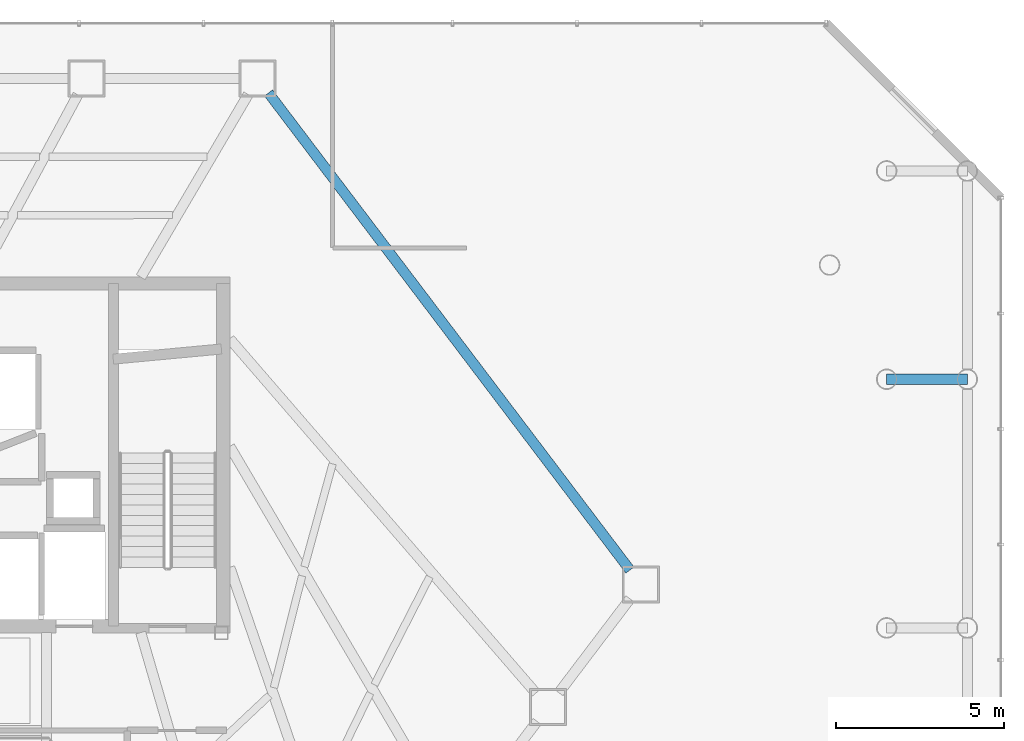
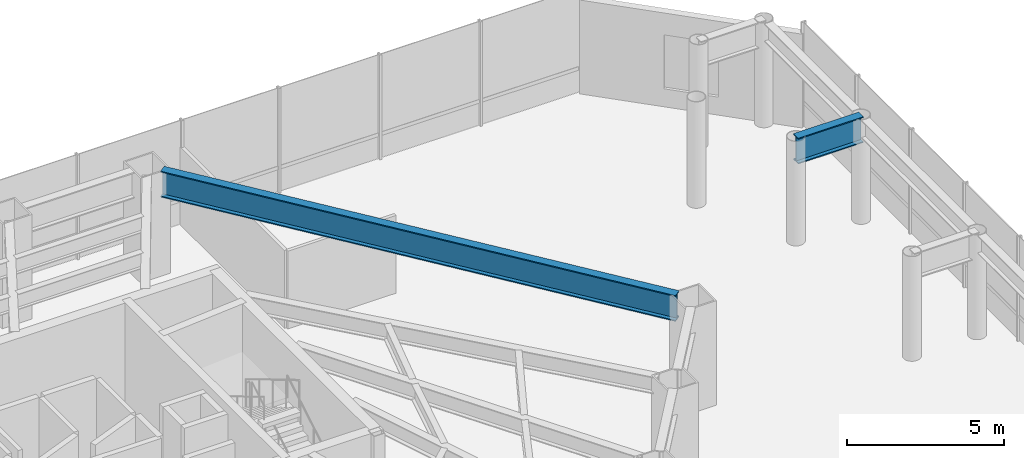
# One storey, part 21 of 33: 2 beams.
"""IFC4 building model written with IfcOpenShell, lengths in metres."""

from ifc_helpers import new_model, si_unit, direction, frame, origin, origin_2d, place, context, subcontext, project, spatial, i_section, extrude, material, material_profile, profile_set, type_object, element, save


model = new_model("IFC4")

# Units and contexts
model_context = context("Model", 3, precision=1e-05, world=origin(), true_north=direction((0.0, 1.0)))
body_context = subcontext(model_context, "Body", "Model", "MODEL_VIEW")
ifc_project = project(units=[si_unit("LENGTHUNIT", "METRE"), si_unit("AREAUNIT", "SQUARE_METRE"), si_unit("VOLUMEUNIT", "CUBIC_METRE"), si_unit("PLANEANGLEUNIT", "RADIAN"), si_unit("MASSUNIT", "GRAM", prefix="KILO")], contexts=[model_context])

# Site, building, storey
site_placement = place(None, origin())
site = spatial("IfcSite", under=ifc_project, at=site_placement, CompositionType="ELEMENT")
building_placement = place(site_placement, origin())
building = spatial("IfcBuilding", under=site, at=building_placement, Name="Zarrinselat Tower", CompositionType="ELEMENT")
storey_placement = place(building_placement, frame((0.0, 0.0, 18.360107421875)))
storey = spatial("IfcBuildingStorey", under=building, at=storey_placement, Name="L04", CompositionType="ELEMENT", Elevation=18.360107421875)

# Beams
ifc_material_1 = material(Name="Steel S460M", Category="steel")
ifc_material_profile_1 = material_profile(ifc_material_1, i_section(OverallWidth=0.302001953125, OverallDepth=1.008056640625, WebThickness=0.02099609375, FlangeThickness=0.0400390625, at=origin_2d()), Name="HEM 1000")
ifc_profile_set_1 = profile_set([ifc_material_profile_1], Name="Steel S460M")
beam_type_1 = type_object("IfcBeamType", Name="BM-HEM1000", PredefinedType="BEAM", material=ifc_profile_set_1)
beam_1_placement = place(storey_placement, frame((49.601806640625, 49.12109375, 3.56591796875), z_axis=(0.603860854183, -0.797089749517, 0.0), x_axis=(0.797089749517, 0.603860854183, 0.0)))
element("IfcBeam", 1, at=beam_1_placement, inside=storey, type_object=beam_type_1, Name="L04 Perimeter Spandrel Girder SP15", PredefinedType="BEAM", context=body_context, shape_type="SweptSolid", body=[
    extrude(i_section(OverallWidth=0.302001953125, OverallDepth=1.008056640625, WebThickness=0.02099609375, FlangeThickness=0.0400390625, at=origin_2d()), origin(), (0.0, 0.0, 1.0), 17.81494140625),
])
ifc_material_2 = material(Name="Steel S460M", Category="steel")
ifc_material_profile_2 = material_profile(ifc_material_2, i_section(OverallWidth=0.302001953125, OverallDepth=1.008056640625, WebThickness=0.02099609375, FlangeThickness=0.0400390625, at=origin_2d()), Name="HEM 1000")
ifc_profile_set_2 = profile_set([ifc_material_profile_2], Name="Steel S460M")
beam_type_2 = type_object("IfcBeamType", Name="BM-PDTR-HEM1000", PredefinedType="BEAM", material=ifc_profile_set_2)
beam_2_placement = place(storey_placement, frame((68.0, 40.60009765625, 3.56591796875), z_axis=(1.0, 0.0, 0.0), x_axis=(0.0, 1.0, 0.0)))
element("IfcBeam", 2, at=beam_2_placement, inside=storey, type_object=beam_type_2, Name="L04 Podium Transfer Girder E-40", PredefinedType="BEAM", context=body_context, shape_type="SweptSolid", body=[
    extrude(i_section(OverallWidth=0.302001953125, OverallDepth=1.008056640625, WebThickness=0.02099609375, FlangeThickness=0.0400390625, at=origin_2d()), origin(), (0.0, 0.0, 1.0), 2.39990234375),
])

save(model, "model.ifc")
